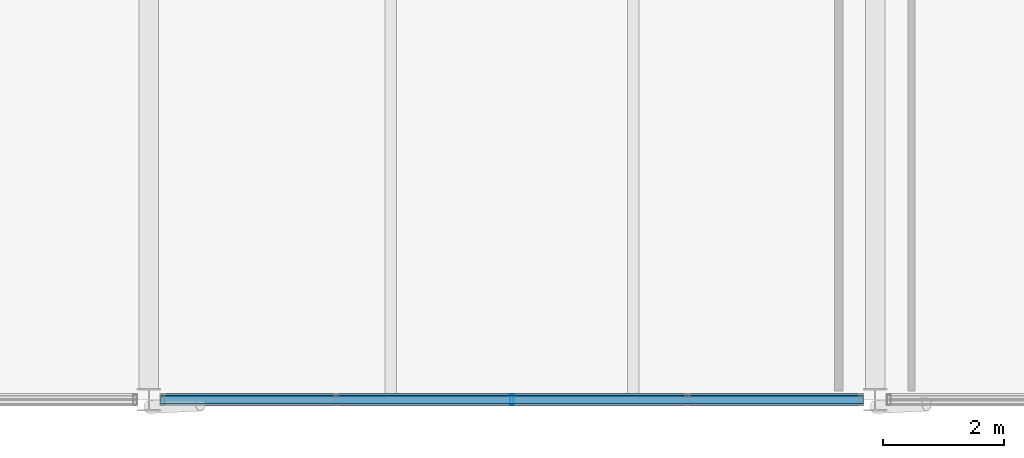
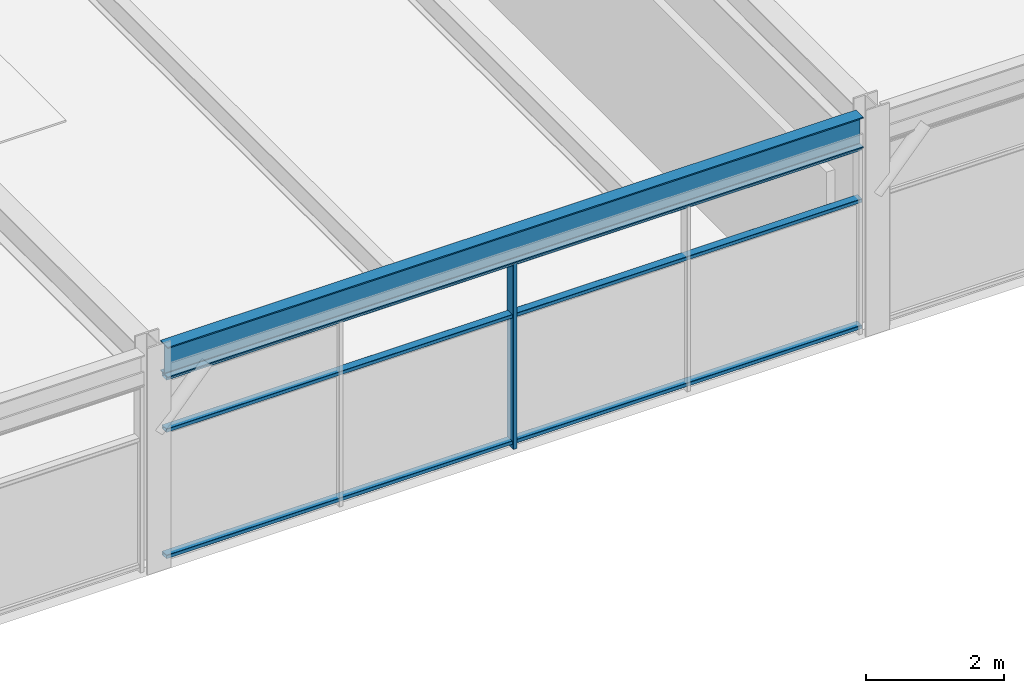
# One storey, part 27 of 49: 4 members, 1 beam, 1 element without a shape of its own.
"""IFC4 building model written with IfcOpenShell, lengths in metres."""

from ifc_helpers import new_model, si_unit, direction, frame, origin, origin_2d, place, context, subcontext, project, spatial, hollow_rectangle, i_section, extrude, material, material_profile, profile_set, type_object, element, aggregate, save


model = new_model("IFC4")

# Units and contexts
model_context = context("Model", 3, precision=1e-05, world=origin(), true_north=direction((0.0, 1.0)))
body_context = subcontext(model_context, "Body", "Model", "MODEL_VIEW")
ifc_project = project(units=[si_unit("LENGTHUNIT", "METRE"), si_unit("AREAUNIT", "SQUARE_METRE"), si_unit("VOLUMEUNIT", "CUBIC_METRE"), si_unit("PLANEANGLEUNIT", "RADIAN"), si_unit("MASSUNIT", "GRAM", prefix="KILO")], contexts=[model_context])

# Site, building, storey
site_placement = place(None, origin())
site = spatial("IfcSite", under=ifc_project, at=site_placement, CompositionType="ELEMENT")
building_placement = place(site_placement, origin())
building = spatial("IfcBuilding", under=site, at=building_placement, Name="Girod Span Mobility Hub", CompositionType="ELEMENT")
storey_placement = place(building_placement, frame((0.0, 0.0, 37.60009765625)))
storey = spatial("IfcBuildingStorey", under=building, at=storey_placement, Name="L09", CompositionType="ELEMENT", Elevation=37.60009765625)

# Beam
ifc_material_1 = material(Name="Steel A992 Grade 50", Category="steel")
ifc_material_profile_1 = material_profile(ifc_material_1, i_section(OverallWidth=0.2119140625, OverallDepth=0.5439453125, WebThickness=0.01318359375, FlangeThickness=0.021240234375, FilletRadius=0.014892578125, at=origin_2d()), Name="W21X83")
ifc_profile_set_1 = profile_set([ifc_material_profile_1], Name="Steel A992 Grade 50")
beam_type = type_object("IfcBeamType", Name="BM-STL-W21X83", PredefinedType="SPANDREL", material=ifc_profile_set_1)
beam_placement = place(storey_placement, frame((96.194091796875, 27.0, 3.56298828125), z_axis=(1.0, 0.0, 0.0), x_axis=(0.0, 1.0, 0.0)))
element("IfcBeam", 1, at=beam_placement, inside=storey, type_object=beam_type, Name="Girder 9-10/C L09", PredefinedType="SPANDREL", context=body_context, shape_type="SweptSolid", body=[
    extrude(i_section(OverallWidth=0.2119140625, OverallDepth=0.5439453125, WebThickness=0.01318359375, FlangeThickness=0.021240234375, FilletRadius=0.014892578125, at=origin_2d()), origin(), (0.0, 0.0, 1.0), 11.61181640625),
])

# Curtain wall, members
ifc_material_2 = material(Name="Thermally Broken Anodised Aluminium", Category="aluminium")
curtain_wall_type = type_object("IfcCurtainWallType", Name="CW-1161X329", PredefinedType="USERDEFINED", material=ifc_material_2)
curtain_wall_placement = place(storey_placement, origin())
curtain_wall = element("IfcCurtainWall", 2, at=curtain_wall_placement, inside=storey, type_object=curtain_wall_type, Name="Unitised Curtain Wall CW-L09-S09 L09", ObjectType="UNITISED CURTAIN WALL", PredefinedType="USERDEFINED")
ifc_material_3 = material(Name="Thermally Broken Anodised Aluminium", Category="aluminium")
ifc_material_profile_2 = material_profile(ifc_material_3, hollow_rectangle(XDim=0.179931640625, YDim=0.06494140625, WallThickness=0.00390625, InnerFilletRadius=0.00390625, OuterFilletRadius=0.008056640625, at=origin_2d()), Name="CW-ML-65X180")
ifc_profile_set_2 = profile_set([ifc_material_profile_2], Name="Thermally Broken Anodised Aluminium")
member_type_1 = type_object("IfcMemberType", Name="CWM-ML-2", PredefinedType="MULLION", material=ifc_profile_set_2)
member_1_placement = place(storey_placement, frame((102.0, 27.0, 0.0), z_axis=(0.0, 0.0, 1.0), x_axis=(0.0, 1.0, 0.0)))
member_1 = element("IfcMember", 3, at=member_1_placement, type_object=member_type_1, Name="Curtain Wall Mullion CW-L09-S09-M2", PredefinedType="MULLION", context=body_context, shape_type="SweptSolid", body=[
    extrude(hollow_rectangle(XDim=0.179931640625, YDim=0.06494140625, WallThickness=0.00390625, InnerFilletRadius=0.00390625, OuterFilletRadius=0.008056640625, at=origin_2d()), origin(), (0.0, 0.0, 1.0), 3.291015625),
])
ifc_material_4 = material(Name="Thermally Broken Anodised Aluminium", Category="aluminium")
ifc_material_profile_3 = material_profile(ifc_material_4, hollow_rectangle(XDim=0.135009765625, YDim=0.06494140625, WallThickness=0.00390625, InnerFilletRadius=0.00390625, OuterFilletRadius=0.008056640625, at=origin_2d()), Name="CW-TR-65X135")
ifc_profile_set_3 = profile_set([ifc_material_profile_3], Name="Thermally Broken Anodised Aluminium")
member_type_2 = type_object("IfcMemberType", Name="CWM-TR-2", PredefinedType="USERDEFINED", material=ifc_profile_set_3)
member_2_placement = place(storey_placement, frame((96.195068359375, 27.0, 0.107421875), z_axis=(1.0, 0.0, 0.0), x_axis=(0.0, 1.0, 0.0)))
member_2 = element("IfcMember", 4, at=member_2_placement, type_object=member_type_2, Name="Curtain Wall Transom CW-L09-S09-T1", ObjectType="TRANSOM", PredefinedType="USERDEFINED", context=body_context, shape_type="SweptSolid", body=[
    extrude(hollow_rectangle(XDim=0.135009765625, YDim=0.06494140625, WallThickness=0.00390625, InnerFilletRadius=0.00390625, OuterFilletRadius=0.008056640625, at=origin_2d()), origin(), (0.0, 0.0, 1.0), 11.60986328125),
])
member_3_placement = place(storey_placement, frame((96.195068359375, 27.0, 2.3369140625), z_axis=(1.0, 0.0, 0.0), x_axis=(0.0, 1.0, 0.0)))
member_3 = element("IfcMember", 5, at=member_3_placement, type_object=member_type_2, Name="Curtain Wall Transom CW-L09-S09-T2", ObjectType="TRANSOM", PredefinedType="USERDEFINED", context=body_context, shape_type="SweptSolid", body=[
    extrude(hollow_rectangle(XDim=0.135009765625, YDim=0.06494140625, WallThickness=0.00390625, InnerFilletRadius=0.00390625, OuterFilletRadius=0.008056640625, at=origin_2d()), origin(), (0.0, 0.0, 1.0), 11.60986328125),
])
member_4_placement = place(storey_placement, frame((96.195068359375, 27.0, 3.25830078125), z_axis=(1.0, 0.0, 0.0), x_axis=(0.0, 1.0, 0.0)))
member_4 = element("IfcMember", 6, at=member_4_placement, type_object=member_type_2, Name="Curtain Wall Transom CW-L09-S09-T3", ObjectType="TRANSOM", PredefinedType="USERDEFINED", context=body_context, shape_type="SweptSolid", body=[
    extrude(hollow_rectangle(XDim=0.135009765625, YDim=0.06494140625, WallThickness=0.00390625, InnerFilletRadius=0.00390625, OuterFilletRadius=0.008056640625, at=origin_2d()), origin(), (0.0, 0.0, 1.0), 11.60986328125),
])
aggregate(curtain_wall, [member_1, member_2, member_3, member_4])

save(model, "model.ifc")
